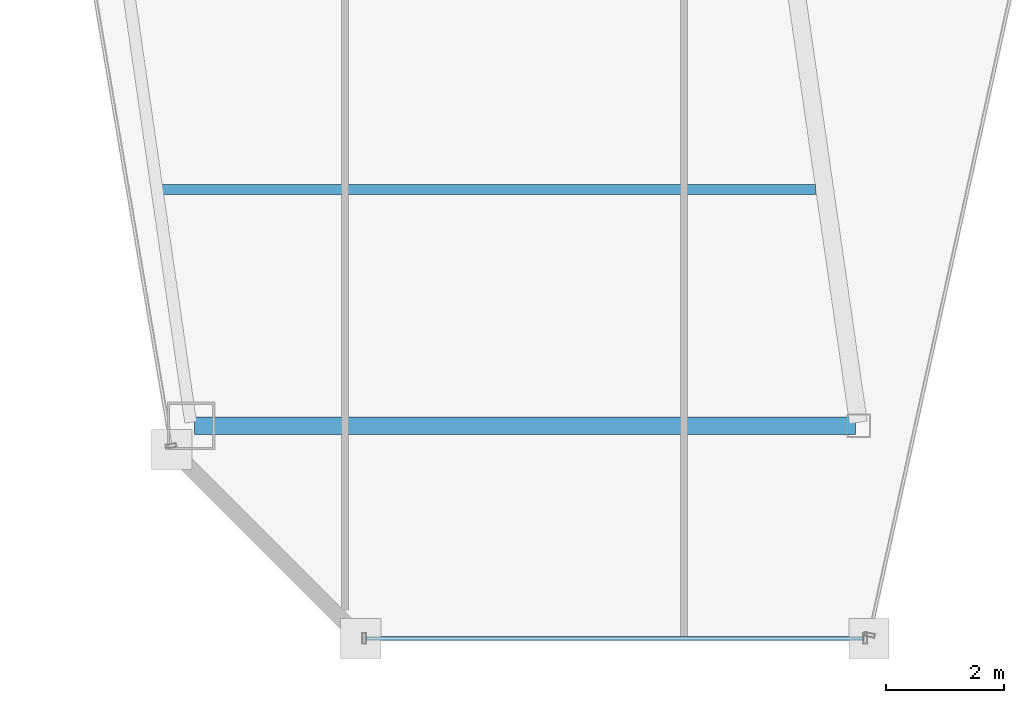
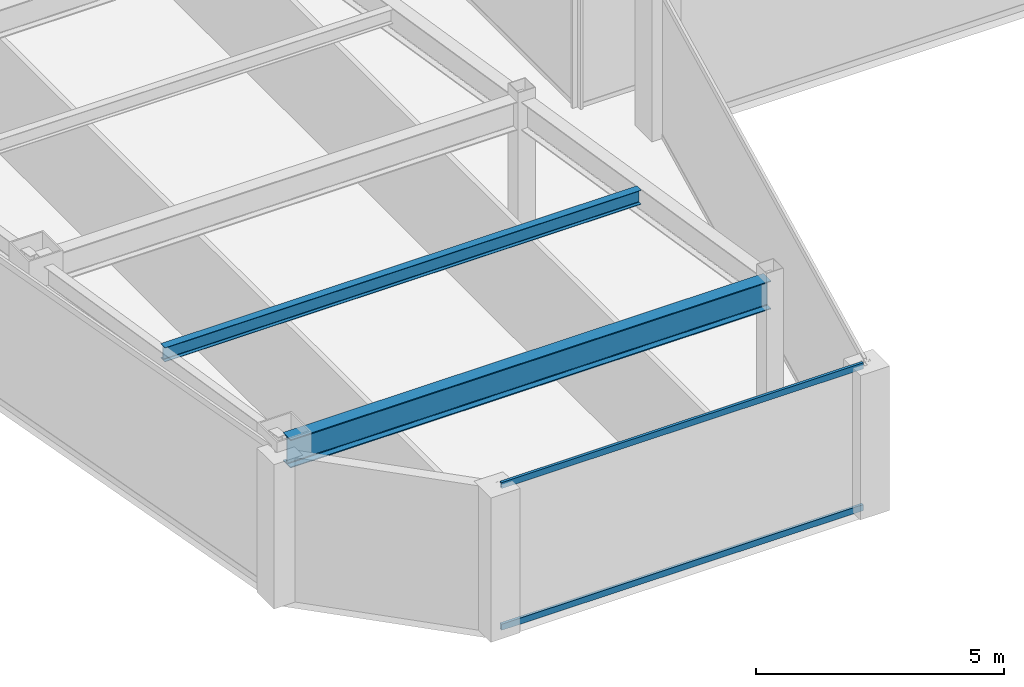
# One storey, part 4 of 36: 2 beams, 2 members, 1 element without a shape of its own.
"""IFC4 building model written with IfcOpenShell, lengths in metres."""

from ifc_helpers import new_model, si_unit, direction, frame, origin, origin_2d, place, context, subcontext, project, spatial, hollow_rectangle, i_section, extrude, material, material_profile, profile_set, type_object, element, aggregate, save


model = new_model("IFC4")

# Units and contexts
model_context = context("Model", 3, precision=1e-05, world=origin(), true_north=direction((0.0, 1.0)))
body_context = subcontext(model_context, "Body", "Model", "MODEL_VIEW")
ifc_project = project(units=[si_unit("LENGTHUNIT", "METRE"), si_unit("AREAUNIT", "SQUARE_METRE"), si_unit("VOLUMEUNIT", "CUBIC_METRE"), si_unit("PLANEANGLEUNIT", "RADIAN"), si_unit("MASSUNIT", "GRAM", prefix="KILO")], contexts=[model_context])

# Site, building, storey
site_placement = place(None, origin())
site = spatial("IfcSite", under=ifc_project, at=site_placement, CompositionType="ELEMENT")
building_placement = place(site_placement, origin())
building = spatial("IfcBuilding", under=site, at=building_placement, Name="Saevonmaru Cultural Tower", CompositionType="ELEMENT")
storey_placement = place(building_placement, frame((0.0, 0.0, 186.60009765625)))
storey = spatial("IfcBuildingStorey", under=building, at=storey_placement, Name="L42", CompositionType="ELEMENT", Elevation=186.60009765625)

# Beams
ifc_material_1 = material(Name="Steel SM355", Category="steel")
ifc_material_profile_1 = material_profile(ifc_material_1, i_section(OverallWidth=0.300048828125, OverallDepth=0.699951171875, WebThickness=0.012939453125, FlangeThickness=0.02392578125, FilletRadius=0.02587890625, at=origin_2d()), Name="H-700x300x13x24")
ifc_profile_set_1 = profile_set([ifc_material_profile_1], Name="Steel SM355")
beam_type_1 = type_object("IfcBeamType", Name="BM-G-H700", PredefinedType="BEAM", material=ifc_profile_set_1)
beam_1_placement = place(storey_placement, frame((10.68798828125, 16.0, 3.199951171875), z_axis=(1.0, 0.0, 0.0), x_axis=(0.0, 1.0, 0.0)))
element("IfcBeam", 1, at=beam_1_placement, inside=storey, type_object=beam_type_1, Name="L42 West Wing Transverse Girder 1", PredefinedType="BEAM", context=body_context, shape_type="SweptSolid", body=[
    extrude(i_section(OverallWidth=0.300048828125, OverallDepth=0.699951171875, WebThickness=0.012939453125, FlangeThickness=0.02392578125, FilletRadius=0.02587890625, at=origin_2d()), origin(), (0.0, 0.0, 1.0), 11.179931640625),
])
ifc_material_profile_2 = material_profile(ifc_material_1, i_section(OverallWidth=0.175048828125, OverallDepth=0.35009765625, WebThickness=0.007080078125, FlangeThickness=0.010986328125, FilletRadius=0.012939453125, at=origin_2d()), Name="H-350x175x7x11")
ifc_profile_set_2 = profile_set([ifc_material_profile_2], Name="Steel SM355")
beam_type_2 = type_object("IfcBeamType", Name="BM-J-H350", PredefinedType="JOIST", material=ifc_profile_set_2)
beam_2_placement = place(storey_placement, frame((10.110107421875, 20.0, 3.375), z_axis=(1.0, 0.0, 0.0), x_axis=(0.0, 1.0, 0.0)))
element("IfcBeam", 2, at=beam_2_placement, inside=storey, type_object=beam_type_2, Name="L42 West Wing Floor Joist 1", PredefinedType="JOIST", context=body_context, shape_type="SweptSolid", body=[
    extrude(i_section(OverallWidth=0.175048828125, OverallDepth=0.35009765625, WebThickness=0.007080078125, FlangeThickness=0.010986328125, FilletRadius=0.012939453125, at=origin_2d()), origin(), (0.0, 0.0, 1.0), 11.081787109375),
])

# Curtain wall, members
ifc_material_2 = material(Name="Satin Bronze Anodised Aluminium", Category="aluminium")
curtain_wall_type = type_object("IfcCurtainWallType", Name="CW-TYP-B", PredefinedType="NOTDEFINED", material=ifc_material_2)
curtain_wall_placement = place(storey_placement, origin())
curtain_wall = element("IfcCurtainWall", 3, at=curtain_wall_placement, inside=storey, type_object=curtain_wall_type, Name="L42 Unitised Curtain Wall E2", PredefinedType="NOTDEFINED")
ifc_material_profile_3 = material_profile(ifc_material_2, hollow_rectangle(XDim=0.06494140625, YDim=0.14990234375, WallThickness=0.00390625, at=origin_2d()), Name="ALU-TRAN-150x65x4")
ifc_profile_set_3 = profile_set([ifc_material_profile_3], Name="Satin Bronze Anodised Aluminium")
member_type = type_object("IfcMemberType", Name="TR-CW-150x65", PredefinedType="USERDEFINED", material=ifc_profile_set_3)
member_1_placement = place(storey_placement, frame((13.59033203125, 12.39990234375, 0.032470703125), z_axis=(1.0, 0.0, 0.0), x_axis=(0.0, 1.0, 0.0)))
member_1 = element("IfcMember", 4, at=member_1_placement, type_object=member_type, Name="CW-TW-L42-E2 transom 1.1", ObjectType="TRANSOM", PredefinedType="USERDEFINED", context=body_context, shape_type="SweptSolid", body=[
    extrude(hollow_rectangle(XDim=0.06494140625, YDim=0.14990234375, WallThickness=0.00390625, at=origin_2d()), origin(), (0.0, 0.0, 1.0), 8.4150390625),
])
member_2_placement = place(storey_placement, frame((13.59033203125, 12.39990234375, 3.517333984375), z_axis=(1.0, 0.0, 0.0), x_axis=(0.0, 1.0, 0.0)))
member_2 = element("IfcMember", 5, at=member_2_placement, type_object=member_type, Name="CW-TW-L42-E2 transom 1.2", ObjectType="TRANSOM", PredefinedType="USERDEFINED", context=body_context, shape_type="SweptSolid", body=[
    extrude(hollow_rectangle(XDim=0.06494140625, YDim=0.14990234375, WallThickness=0.00390625, at=origin_2d()), origin(), (0.0, 0.0, 1.0), 8.4150390625),
])
aggregate(curtain_wall, [member_1, member_2])

save(model, "model.ifc")
